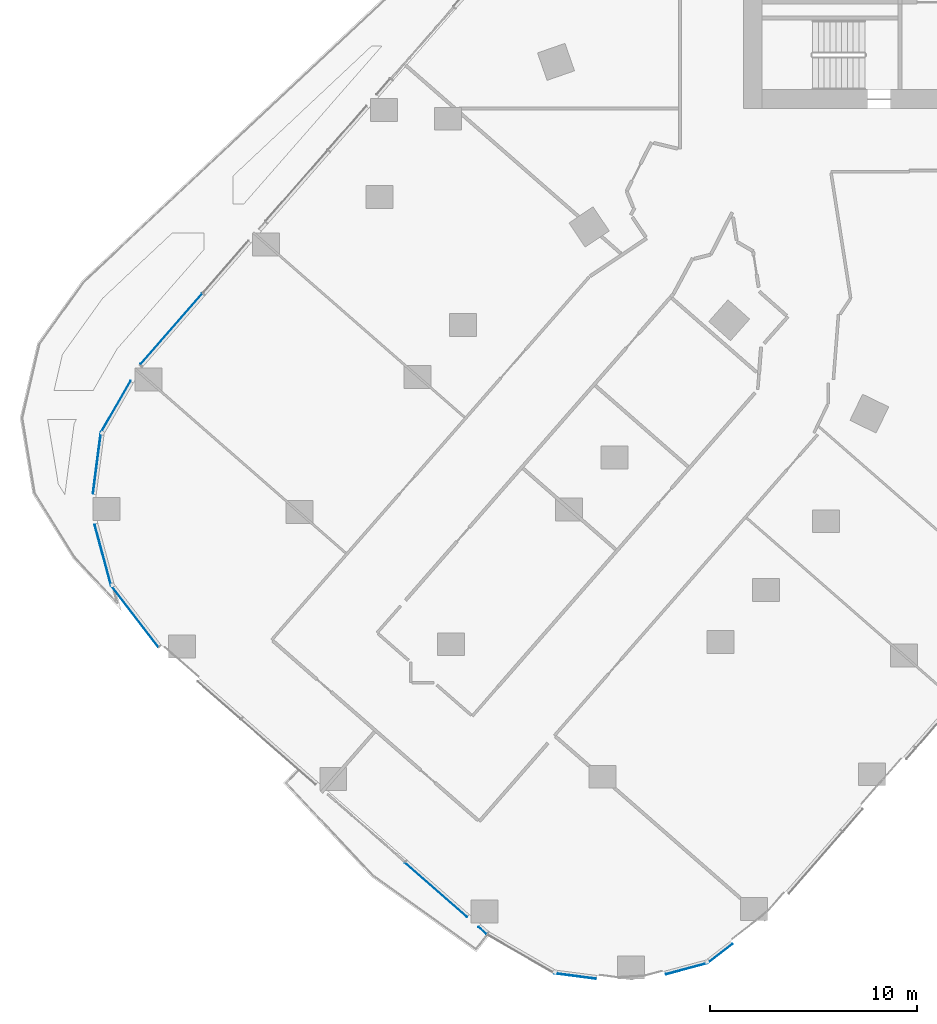
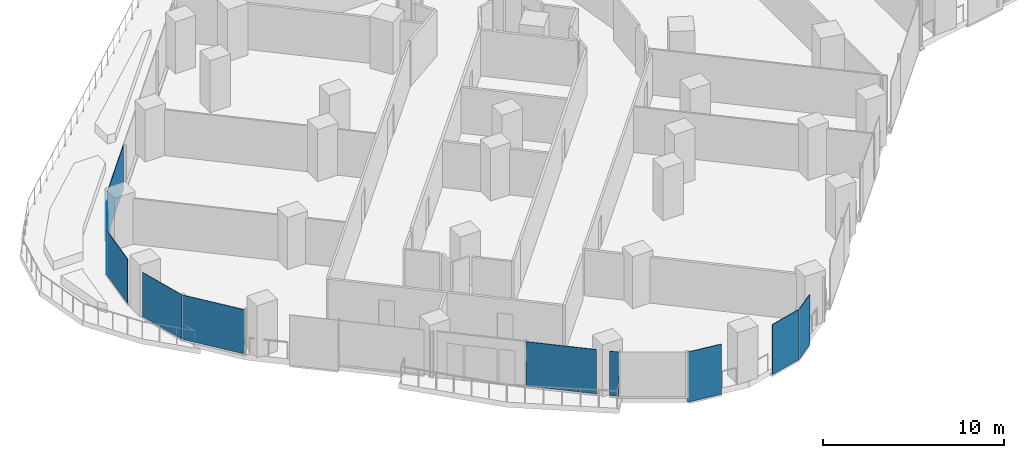
# One storey, part 16 of 32: 10 plates, 9 elements without a shape of their own.
"""IFC4 building model written with IfcOpenShell, lengths in metres."""

from ifc_helpers import new_model, si_unit, direction, frame, origin, origin_2d, place, context, subcontext, project, spatial, rectangle, extrude, material, layer, layer_set, type_object, element, aggregate, save


model = new_model("IFC4")

# Units and contexts
model_context = context("Model", 3, precision=1e-05, world=origin(), true_north=direction((0.0, 1.0)))
body_context = subcontext(model_context, "Body", "Model", "MODEL_VIEW")
ifc_project = project(units=[si_unit("LENGTHUNIT", "METRE"), si_unit("AREAUNIT", "SQUARE_METRE"), si_unit("VOLUMEUNIT", "CUBIC_METRE"), si_unit("PLANEANGLEUNIT", "RADIAN"), si_unit("MASSUNIT", "GRAM", prefix="KILO")], contexts=[model_context])

# Site, building, storey
site_placement = place(None, origin())
site = spatial("IfcSite", under=ifc_project, at=site_placement, CompositionType="ELEMENT")
building_placement = place(site_placement, origin())
building = spatial("IfcBuilding", under=site, at=building_placement, Name="Orlundy Tower", CompositionType="ELEMENT")
storey_placement = place(building_placement, frame((0.0, 0.0, 58.800048828125)))
storey = spatial("IfcBuildingStorey", under=building, at=storey_placement, Name="L13", CompositionType="ELEMENT", Elevation=58.800048828125)

# Curtain wall, plate
ifc_material_1 = material(Name="Aluminium bronze anodised", Category="aluminium")
curtain_wall_type = type_object("IfcCurtainWallType", Name="CW1 wall", PredefinedType="NOTDEFINED", material=ifc_material_1)
curtain_wall_1_placement = place(storey_placement, origin())
curtain_wall_1 = element("IfcCurtainWall", 1, at=curtain_wall_1_placement, inside=storey, type_object=curtain_wall_type, Name="CW1 run 03", PredefinedType="NOTDEFINED")
ifc_material_2 = material(Name="Tinted glass", Category="glass")
ifc_layer = layer(ifc_material_2, 0.031982421875)
ifc_layer_set = layer_set([ifc_layer], Name="CW1 glass panel 32")
plate_type = type_object("IfcPlateType", Name="CW1 glass panel 32", PredefinedType="CURTAIN_PANEL", material=ifc_layer_set)
plate_1_placement = place(storey_placement, frame((-20.118896484375, -52.75341796875, -0.280029296875), z_axis=(0.0, 0.0, 1.0), x_axis=(-0.79239325108, -0.610010602893, 0.0)))
plate_1 = element("IfcPlate", 2, at=plate_1_placement, type_object=plate_type, Name="CW1 panel", PredefinedType="CURTAIN_PANEL", context=body_context, shape_type="SweptSolid", body=[
    extrude(rectangle(XDim=1.516357421875, YDim=0.031982421875, at=origin_2d()), origin(), (0.0, 0.0, 1.0), 3.3798828125),
])
aggregate(curtain_wall_1, [plate_1])

curtain_wall_2_placement = place(storey_placement, origin())
curtain_wall_2 = element("IfcCurtainWall", 3, at=curtain_wall_2_placement, inside=storey, type_object=curtain_wall_type, Name="CW1 run 04", PredefinedType="NOTDEFINED")
plate_2_placement = place(storey_placement, frame((-21.720703125, -53.4853515625, -0.280029296875), z_axis=(0.0, 0.0, 1.0), x_axis=(-0.965587098839, -0.26007990033, 0.0)))
plate_2 = element("IfcPlate", 4, at=plate_2_placement, type_object=plate_type, Name="CW1 panel", PredefinedType="CURTAIN_PANEL", context=body_context, shape_type="SweptSolid", body=[
    extrude(rectangle(XDim=2.0732421875, YDim=0.031982421875, at=origin_2d()), origin(), (0.0, 0.0, 1.0), 3.3798828125),
])
aggregate(curtain_wall_2, [plate_2])

curtain_wall_3_placement = place(storey_placement, origin())
curtain_wall_3 = element("IfcCurtainWall", 5, at=curtain_wall_3_placement, inside=storey, type_object=curtain_wall_type, Name="CW1 run 05", PredefinedType="NOTDEFINED")
plate_3_placement = place(storey_placement, frame((-27.103515625, -53.84033203125, -0.280029296875), z_axis=(0.0, 0.0, 1.0), x_axis=(-0.991651478458, 0.128947063839, 0.0)))
plate_3 = element("IfcPlate", 6, at=plate_3_placement, type_object=plate_type, Name="CW1 panel", PredefinedType="CURTAIN_PANEL", context=body_context, shape_type="SweptSolid", body=[
    extrude(rectangle(XDim=2.014892578125, YDim=0.031982421875, at=origin_2d()), origin(), (0.0, 0.0, 1.0), 3.3798828125),
])
aggregate(curtain_wall_3, [plate_3])

# Curtain wall, plates
curtain_wall_4_placement = place(storey_placement, origin())
curtain_wall_4 = element("IfcCurtainWall", 7, at=curtain_wall_4_placement, inside=storey, type_object=curtain_wall_type, Name="CW1 run 07", PredefinedType="NOTDEFINED")
plate_4_placement = place(storey_placement, frame((-31.57421875, -51.647705078125, 0.119873046875), z_axis=(0.0, 0.0, 1.0), x_axis=(-0.752789052597, 0.658261834143, 0.0)))
plate_4 = element("IfcPlate", 8, at=plate_4_placement, type_object=plate_type, Name="CW1 panel", PredefinedType="CURTAIN_PANEL", context=body_context, shape_type="SweptSolid", body=[
    extrude(rectangle(XDim=0.52490234375, YDim=0.031982421875, at=origin_2d()), origin(), (0.0, 0.0, 1.0), 2.97998046875),
])
plate_5_placement = place(storey_placement, frame((-33.81103515625, -49.69189453125, 0.119873046875), z_axis=(0.0, 0.0, 1.0), x_axis=(-0.752789052597, 0.658261834143, 0.0)))
plate_5 = element("IfcPlate", 9, at=plate_5_placement, type_object=plate_type, Name="CW1 panel", PredefinedType="CURTAIN_PANEL", context=body_context, shape_type="SweptSolid", body=[
    extrude(rectangle(XDim=3.964111328125, YDim=0.031982421875, at=origin_2d()), origin(), (0.0, 0.0, 1.0), 2.97998046875),
])
aggregate(curtain_wall_4, [plate_4, plate_5])

# Curtain wall, plate
curtain_wall_5_placement = place(storey_placement, origin())
curtain_wall_5 = element("IfcCurtainWall", 10, at=curtain_wall_5_placement, inside=storey, type_object=curtain_wall_type, Name="CW1 run 08", PredefinedType="NOTDEFINED")
plate_6_placement = place(storey_placement, frame((-48.34326171875, -36.49462890625, 0.119873046875), z_axis=(0.0, 0.0, 1.0), x_axis=(-0.609880211285, 0.792493613781, 0.0)))
plate_6 = element("IfcPlate", 11, at=plate_6_placement, type_object=plate_type, Name="CW1 panel", PredefinedType="CURTAIN_PANEL", context=body_context, shape_type="SweptSolid", body=[
    extrude(rectangle(XDim=3.73095703125, YDim=0.031982421875, at=origin_2d()), origin(), (0.0, 0.0, 1.0), 2.97998046875),
])
aggregate(curtain_wall_5, [plate_6])

curtain_wall_6_placement = place(storey_placement, origin())
curtain_wall_6 = element("IfcCurtainWall", 12, at=curtain_wall_6_placement, inside=storey, type_object=curtain_wall_type, Name="CW1 run 09", PredefinedType="NOTDEFINED")
plate_7_placement = place(storey_placement, frame((-49.877685546875, -33.544677734375, 0.119873046875), z_axis=(0.0, 0.0, 1.0), x_axis=(-0.260331417091, 0.965519317919, 0.0)))
plate_7 = element("IfcPlate", 13, at=plate_7_placement, type_object=plate_type, Name="CW1 panel", PredefinedType="CURTAIN_PANEL", context=body_context, shape_type="SweptSolid", body=[
    extrude(rectangle(XDim=3.04833984375, YDim=0.031982421875, at=origin_2d()), origin(), (0.0, 0.0, 1.0), 2.97998046875),
])
aggregate(curtain_wall_6, [plate_7])

curtain_wall_7_placement = place(storey_placement, origin())
curtain_wall_7 = element("IfcCurtainWall", 14, at=curtain_wall_7_placement, inside=storey, type_object=curtain_wall_type, Name="CW1 run 010", PredefinedType="NOTDEFINED")
plate_8_placement = place(storey_placement, frame((-50.1669921875, -29.103759765625, 0.119873046875), z_axis=(0.0, 0.0, 1.0), x_axis=(0.129246900831, 0.991612443763, 0.0)))
plate_8 = element("IfcPlate", 15, at=plate_8_placement, type_object=plate_type, Name="CW1 panel", PredefinedType="CURTAIN_PANEL", context=body_context, shape_type="SweptSolid", body=[
    extrude(rectangle(XDim=2.96337890625, YDim=0.031982421875, at=origin_2d()), origin(), (0.0, 0.0, 1.0), 2.97998046875),
])
aggregate(curtain_wall_7, [plate_8])

curtain_wall_8_placement = place(storey_placement, origin())
curtain_wall_8 = element("IfcCurtainWall", 16, at=curtain_wall_8_placement, inside=storey, type_object=curtain_wall_type, Name="CW1 run 011", PredefinedType="NOTDEFINED")
plate_9_placement = place(storey_placement, frame((-49.25732421875, -26.3857421875, 0.119873046875), z_axis=(0.0, 0.0, 1.0), x_axis=(0.498577567738, 0.866845089361, 0.0)))
plate_9 = element("IfcPlate", 17, at=plate_9_placement, type_object=plate_type, Name="CW1 panel", PredefinedType="CURTAIN_PANEL", context=body_context, shape_type="SweptSolid", body=[
    extrude(rectangle(XDim=2.881103515625, YDim=0.031982421875, at=origin_2d()), origin(), (0.0, 0.0, 1.0), 2.97998046875),
])
aggregate(curtain_wall_8, [plate_9])

curtain_wall_9_placement = place(storey_placement, origin())
curtain_wall_9 = element("IfcCurtainWall", 18, at=curtain_wall_9_placement, inside=storey, type_object=curtain_wall_type, Name="CW1 run 012", PredefinedType="NOTDEFINED")
plate_10_placement = place(storey_placement, frame((-46.571044921875, -22.627197265625, 0.119873046875), z_axis=(0.0, 0.0, 1.0), x_axis=(0.658273153933, 0.752779154075, 0.0)))
plate_10 = element("IfcPlate", 19, at=plate_10_placement, type_object=plate_type, Name="CW1 panel", PredefinedType="CURTAIN_PANEL", context=body_context, shape_type="SweptSolid", body=[
    extrude(rectangle(XDim=4.50537109375, YDim=0.031982421875, at=origin_2d()), origin(), (0.0, 0.0, 1.0), 2.97998046875),
])
aggregate(curtain_wall_9, [plate_10])

save(model, "model.ifc")
